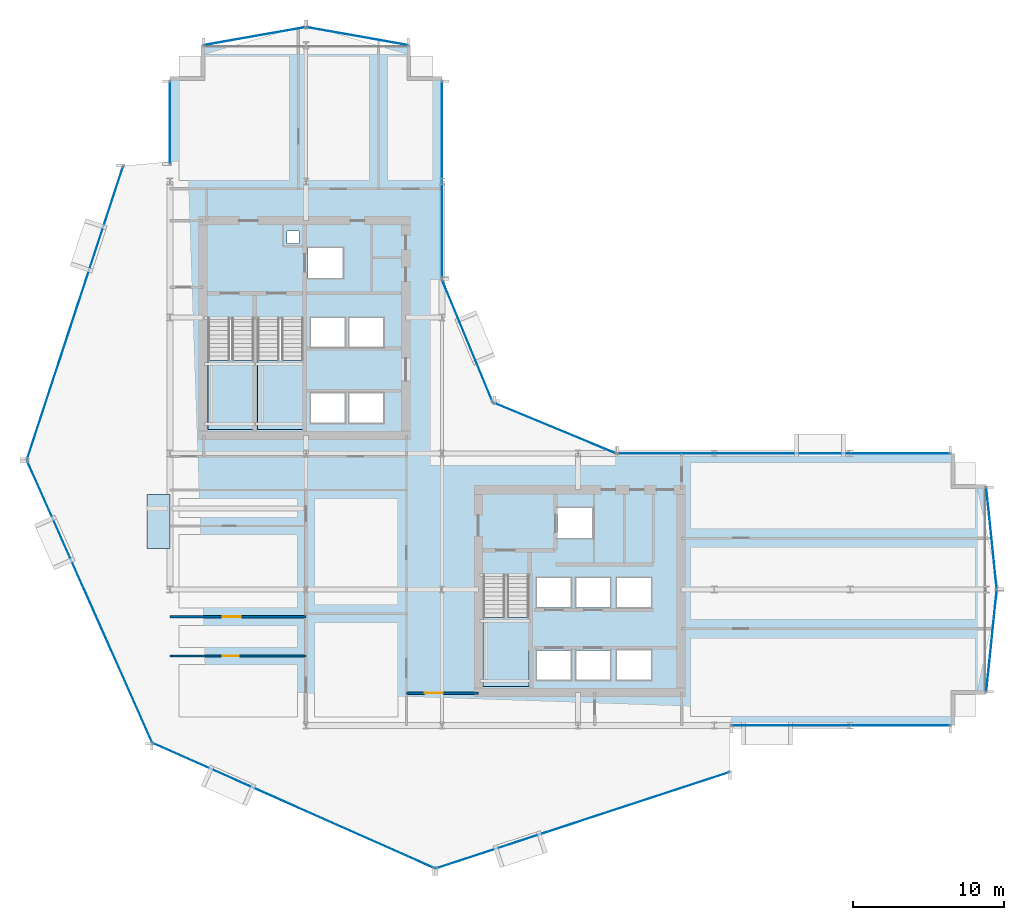
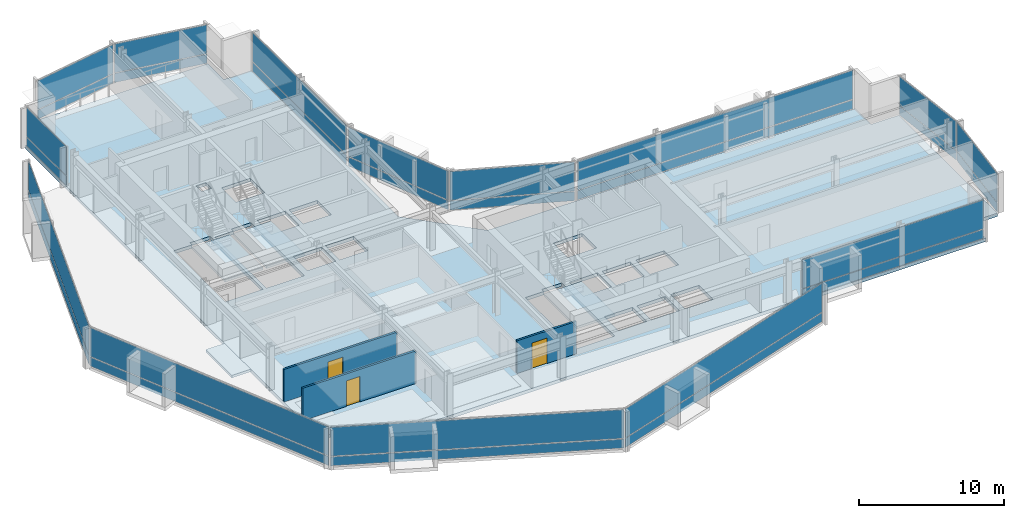
# One storey, part 26 of 34: 28 plates, 5 slabs, 3 doors, 3 walls, 3 openings, 17 elements without a shape of their own.
"""IFC4 building model written with IfcOpenShell, lengths in metres."""

from ifc_helpers import new_model, si_unit, direction, frame, frame_2d, origin, origin_2d, place, context, subcontext, project, spatial, polyline, rectangle, outline, extrude, material, layer, layer_set, type_object, element, fill, aggregate, save


model = new_model("IFC4")

# Units and contexts
model_context = context("Model", 3, precision=1e-05, world=origin(), true_north=direction((0.0, 1.0)))
body_context = subcontext(model_context, "Body", "Model", "MODEL_VIEW")
ifc_project = project(units=[si_unit("LENGTHUNIT", "METRE"), si_unit("AREAUNIT", "SQUARE_METRE"), si_unit("VOLUMEUNIT", "CUBIC_METRE"), si_unit("PLANEANGLEUNIT", "RADIAN"), si_unit("MASSUNIT", "GRAM", prefix="KILO")], contexts=[model_context])

# Site, building, storey
site_placement = place(None, origin())
site = spatial("IfcSite", under=ifc_project, at=site_placement, CompositionType="ELEMENT")
building_placement = place(site_placement, origin())
building = spatial("IfcBuilding", under=site, at=building_placement, Name="Solvaryn Broadcast Tower", CompositionType="ELEMENT")
storey_placement = place(building_placement, frame((0.0, 0.0, 96.5)))
storey = spatial("IfcBuildingStorey", under=building, at=storey_placement, Name="L23", CompositionType="ELEMENT", Elevation=96.5)

# Curtain wall, plates
ifc_material_1 = material(Name="Aluminium and Terracotta Unitised Curtain Wall", Category="masonry")
ifc_layer_1 = layer(ifc_material_1, 0.199951171875)
ifc_layer_set_1 = layer_set([ifc_layer_1], Name="CW-SYS2-LOWMID")
curtain_wall_type = type_object("IfcCurtainWallType", Name="CW-SYS2-LOWMID", PredefinedType="NOTDEFINED", material=ifc_layer_set_1)
curtain_wall_1_placement = place(storey_placement, origin())
curtain_wall_1 = element("IfcCurtainWall", 1, at=curtain_wall_1_placement, inside=storey, type_object=curtain_wall_type, Name="L23 Curtain Wall DR1", PredefinedType="NOTDEFINED")
ifc_material_2 = material(Name="Low-Iron Insulated Vision Glass", Category="glass")
ifc_layer_2 = layer(ifc_material_2, 0.035888671875)
ifc_layer_set_2 = layer_set([ifc_layer_2], Name="CW-PNL-VISION")
plate_type = type_object("IfcPlateType", Name="CW-PNL-VISION", PredefinedType="CURTAIN_PANEL", material=ifc_layer_set_2)
plate_1_placement = place(storey_placement, frame((2.72607421875, 36.2880859375, 0.06005859375), z_axis=(0.0, 0.0, 1.0), x_axis=(-0.311594044587, -0.950215318429, 0.0)))
plate_1 = element("IfcPlate", 2, at=plate_1_placement, type_object=plate_type, Name="CWS2 panel 1.1", PredefinedType="CURTAIN_PANEL", context=body_context, shape_type="SweptSolid", body=[
    extrude(rectangle(XDim=20.35546875, YDim=0.028076171875, at=origin_2d()), origin(), (0.0, 0.0, 1.0), 0.760009765625),
])
plate_2_placement = place(storey_placement, frame((2.72607421875, 36.2880859375, 0.8798828125), z_axis=(0.0, 0.0, 1.0), x_axis=(-0.311594044587, -0.950215318429, 0.0)))
plate_2 = element("IfcPlate", 3, at=plate_2_placement, type_object=plate_type, Name="CWS2 panel 1.2", PredefinedType="CURTAIN_PANEL", context=body_context, shape_type="SweptSolid", body=[
    extrude(rectangle(XDim=20.35546875, YDim=0.028076171875, at=origin_2d()), origin(), (0.0, 0.0, 1.0), 2.429931640625),
])
aggregate(curtain_wall_1, [plate_1, plate_2])

curtain_wall_2_placement = place(storey_placement, origin())
curtain_wall_2 = element("IfcCurtainWall", 4, at=curtain_wall_2_placement, inside=storey, type_object=curtain_wall_type, Name="L23 Curtain Wall DR2", PredefinedType="NOTDEFINED")
plate_3_placement = place(storey_placement, frame((3.69140625, 17.20361328125, 0.06005859375), z_axis=(0.0, 0.0, 1.0), x_axis=(0.405898286554, -0.913918257271, 0.0)))
plate_3 = element("IfcPlate", 5, at=plate_3_placement, type_object=plate_type, Name="CWS2 panel 1.1", PredefinedType="CURTAIN_PANEL", context=body_context, shape_type="SweptSolid", body=[
    extrude(rectangle(XDim=20.35546875, YDim=0.028076171875, at=origin_2d()), origin(), (0.0, 0.0, 1.0), 0.760009765625),
])
plate_4_placement = place(storey_placement, frame((3.69140625, 17.20361328125, 0.8798828125), z_axis=(0.0, 0.0, 1.0), x_axis=(0.405898286554, -0.913918257271, 0.0)))
plate_4 = element("IfcPlate", 6, at=plate_4_placement, type_object=plate_type, Name="CWS2 panel 1.2", PredefinedType="CURTAIN_PANEL", context=body_context, shape_type="SweptSolid", body=[
    extrude(rectangle(XDim=20.35546875, YDim=0.028076171875, at=origin_2d()), origin(), (0.0, 0.0, 1.0), 2.429931640625),
])
aggregate(curtain_wall_2, [plate_3, plate_4])

curtain_wall_3_placement = place(storey_placement, origin())
curtain_wall_3 = element("IfcCurtainWall", 7, at=curtain_wall_3_placement, inside=storey, type_object=curtain_wall_type, Name="L23 Curtain Wall DR3", PredefinedType="NOTDEFINED")
plate_5_placement = place(storey_placement, frame((17.20361328125, 3.69140625, 0.06005859375), z_axis=(0.0, 0.0, 1.0), x_axis=(0.913918257271, -0.405898286554, 0.0)))
plate_5 = element("IfcPlate", 8, at=plate_5_placement, type_object=plate_type, Name="CWS2 panel 1.1", PredefinedType="CURTAIN_PANEL", context=body_context, shape_type="SweptSolid", body=[
    extrude(rectangle(XDim=20.35546875, YDim=0.028076171875, at=origin_2d()), origin(), (0.0, 0.0, 1.0), 0.760009765625),
])
plate_6_placement = place(storey_placement, frame((17.20361328125, 3.69140625, 0.8798828125), z_axis=(0.0, 0.0, 1.0), x_axis=(0.913918257271, -0.405898286554, 0.0)))
plate_6 = element("IfcPlate", 9, at=plate_6_placement, type_object=plate_type, Name="CWS2 panel 1.2", PredefinedType="CURTAIN_PANEL", context=body_context, shape_type="SweptSolid", body=[
    extrude(rectangle(XDim=20.35546875, YDim=0.028076171875, at=origin_2d()), origin(), (0.0, 0.0, 1.0), 2.429931640625),
])
aggregate(curtain_wall_3, [plate_5, plate_6])

curtain_wall_4_placement = place(storey_placement, origin())
curtain_wall_4 = element("IfcCurtainWall", 10, at=curtain_wall_4_placement, inside=storey, type_object=curtain_wall_type, Name="L23 Curtain Wall DR4", PredefinedType="NOTDEFINED")
plate_7_placement = place(storey_placement, frame((36.2880859375, 2.72607421875, 0.06005859375), z_axis=(0.0, 0.0, 1.0), x_axis=(0.950215318429, 0.311594044587, 0.0)))
plate_7 = element("IfcPlate", 11, at=plate_7_placement, type_object=plate_type, Name="CWS2 panel 1.1", PredefinedType="CURTAIN_PANEL", context=body_context, shape_type="SweptSolid", body=[
    extrude(rectangle(XDim=20.35546875, YDim=0.028076171875, at=origin_2d()), origin(), (0.0, 0.0, 1.0), 0.760009765625),
])
plate_8_placement = place(storey_placement, frame((36.2880859375, 2.72607421875, 0.8798828125), z_axis=(0.0, 0.0, 1.0), x_axis=(0.950215318429, 0.311594044587, 0.0)))
plate_8 = element("IfcPlate", 12, at=plate_8_placement, type_object=plate_type, Name="CWS2 panel 1.2", PredefinedType="CURTAIN_PANEL", context=body_context, shape_type="SweptSolid", body=[
    extrude(rectangle(XDim=20.35546875, YDim=0.028076171875, at=origin_2d()), origin(), (0.0, 0.0, 1.0), 2.429931640625),
])
aggregate(curtain_wall_4, [plate_7, plate_8])

curtain_wall_5_placement = place(storey_placement, origin())
curtain_wall_5 = element("IfcCurtainWall", 13, at=curtain_wall_5_placement, inside=storey, type_object=curtain_wall_type, Name="L23 Curtain Wall W2", PredefinedType="NOTDEFINED")
plate_9_placement = place(storey_placement, frame((9.0, 48.883056640625, 0.06005859375), z_axis=(0.0, 0.0, 1.0), x_axis=(0.0, 1.0, 0.0)))
plate_9 = element("IfcPlate", 14, at=plate_9_placement, type_object=plate_type, Name="CWS2 panel 1.1", PredefinedType="CURTAIN_PANEL", context=body_context, shape_type="SweptSolid", body=[
    extrude(rectangle(XDim=5.4140625, YDim=0.028076171875, at=origin_2d()), origin(), (0.0, 0.0, 1.0), 0.760009765625),
])
plate_10_placement = place(storey_placement, frame((9.0, 48.883056640625, 0.8798828125), z_axis=(0.0, 0.0, 1.0), x_axis=(0.0, 1.0, 0.0)))
plate_10 = element("IfcPlate", 15, at=plate_10_placement, type_object=plate_type, Name="CWS2 panel 1.2", PredefinedType="CURTAIN_PANEL", context=body_context, shape_type="SweptSolid", body=[
    extrude(rectangle(XDim=5.4140625, YDim=0.028076171875, at=origin_2d()), origin(), (0.0, 0.0, 1.0), 2.429931640625),
])
aggregate(curtain_wall_5, [plate_9, plate_10])

curtain_wall_6_placement = place(storey_placement, origin())
curtain_wall_6 = element("IfcCurtainWall", 16, at=curtain_wall_6_placement, inside=storey, type_object=curtain_wall_type, Name="L23 Curtain Wall IV", PredefinedType="NOTDEFINED")
plate_11_placement = place(storey_placement, frame((27.0, 45.125, 0.06005859375), z_axis=(0.0, 0.0, 1.0), x_axis=(0.0, -1.0, 0.0)))
plate_11 = element("IfcPlate", 17, at=plate_11_placement, type_object=plate_type, Name="CWS2 panel 1.1", PredefinedType="CURTAIN_PANEL", context=body_context, shape_type="SweptSolid", body=[
    extrude(rectangle(XDim=12.929931640625, YDim=0.028076171875, at=origin_2d()), origin(), (0.0, 0.0, 1.0), 0.760009765625),
])
plate_12_placement = place(storey_placement, frame((27.0, 45.125, 0.8798828125), z_axis=(0.0, 0.0, 1.0), x_axis=(0.0, -1.0, 0.0)))
plate_12 = element("IfcPlate", 18, at=plate_12_placement, type_object=plate_type, Name="CWS2 panel 1.2", PredefinedType="CURTAIN_PANEL", context=body_context, shape_type="SweptSolid", body=[
    extrude(rectangle(XDim=12.929931640625, YDim=0.028076171875, at=origin_2d()), origin(), (0.0, 0.0, 1.0), 2.429931640625),
])
aggregate(curtain_wall_6, [plate_11, plate_12])

curtain_wall_7_placement = place(storey_placement, origin())
curtain_wall_7 = element("IfcCurtainWall", 19, at=curtain_wall_7_placement, inside=storey, type_object=curtain_wall_type, Name="L23 Curtain Wall CN1", PredefinedType="NOTDEFINED")
plate_13_placement = place(storey_placement, frame((34.43408203125, 28.68408203125, 0.06005859375), z_axis=(0.0, 0.0, 1.0), x_axis=(-0.923894983957, 0.382646127145, 0.0)))
plate_13 = element("IfcPlate", 20, at=plate_13_placement, type_object=plate_type, Name="CWS2 panel 1.1", PredefinedType="CURTAIN_PANEL", context=body_context, shape_type="SweptSolid", body=[
    extrude(rectangle(XDim=8.681884765625, YDim=0.028076171875, at=origin_2d()), origin(), (0.0, 0.0, 1.0), 0.760009765625),
])
plate_14_placement = place(storey_placement, frame((34.43408203125, 28.68408203125, 0.8798828125), z_axis=(0.0, 0.0, 1.0), x_axis=(-0.923894983957, 0.382646127145, 0.0)))
plate_14 = element("IfcPlate", 21, at=plate_14_placement, type_object=plate_type, Name="CWS2 panel 1.2", PredefinedType="CURTAIN_PANEL", context=body_context, shape_type="SweptSolid", body=[
    extrude(rectangle(XDim=8.681884765625, YDim=0.028076171875, at=origin_2d()), origin(), (0.0, 0.0, 1.0), 2.429931640625),
])
aggregate(curtain_wall_7, [plate_13, plate_14])

curtain_wall_8_placement = place(storey_placement, origin())
curtain_wall_8 = element("IfcCurtainWall", 22, at=curtain_wall_8_placement, inside=storey, type_object=curtain_wall_type, Name="L23 Curtain Wall CN2", PredefinedType="NOTDEFINED")
plate_15_placement = place(storey_placement, frame((28.68408203125, 34.43408203125, 0.06005859375), z_axis=(0.0, 0.0, 1.0), x_axis=(-0.382646127145, 0.923894983957, 0.0)))
plate_15 = element("IfcPlate", 23, at=plate_15_placement, type_object=plate_type, Name="CWS2 panel 1.1", PredefinedType="CURTAIN_PANEL", context=body_context, shape_type="SweptSolid", body=[
    extrude(rectangle(XDim=8.681884765625, YDim=0.028076171875, at=origin_2d()), origin(), (0.0, 0.0, 1.0), 0.760009765625),
])
plate_16_placement = place(storey_placement, frame((28.68408203125, 34.43408203125, 0.8798828125), z_axis=(0.0, 0.0, 1.0), x_axis=(-0.382646127145, 0.923894983957, 0.0)))
plate_16 = element("IfcPlate", 24, at=plate_16_placement, type_object=plate_type, Name="CWS2 panel 1.2", PredefinedType="CURTAIN_PANEL", context=body_context, shape_type="SweptSolid", body=[
    extrude(rectangle(XDim=8.681884765625, YDim=0.028076171875, at=origin_2d()), origin(), (0.0, 0.0, 1.0), 2.429931640625),
])
aggregate(curtain_wall_8, [plate_15, plate_16])

curtain_wall_9_placement = place(storey_placement, origin())
curtain_wall_9 = element("IfcCurtainWall", 25, at=curtain_wall_9_placement, inside=storey, type_object=curtain_wall_type, Name="L23 Curtain Wall S2", PredefinedType="NOTDEFINED")
plate_17_placement = place(storey_placement, frame((53.383056640625, 9.0, 0.06005859375), z_axis=(0.0, 0.0, 1.0), x_axis=(1.0, 0.0, 0.0)))
plate_17 = element("IfcPlate", 26, at=plate_17_placement, type_object=plate_type, Name="CWS2 panel 1.1", PredefinedType="CURTAIN_PANEL", context=body_context, shape_type="SweptSolid", body=[
    extrude(rectangle(XDim=14.4140625, YDim=0.028076171875, at=origin_2d()), origin(), (0.0, 0.0, 1.0), 0.760009765625),
])
plate_18_placement = place(storey_placement, frame((53.383056640625, 9.0, 0.8798828125), z_axis=(0.0, 0.0, 1.0), x_axis=(1.0, 0.0, 0.0)))
plate_18 = element("IfcPlate", 27, at=plate_18_placement, type_object=plate_type, Name="CWS2 panel 1.2", PredefinedType="CURTAIN_PANEL", context=body_context, shape_type="SweptSolid", body=[
    extrude(rectangle(XDim=14.4140625, YDim=0.028076171875, at=origin_2d()), origin(), (0.0, 0.0, 1.0), 2.429931640625),
])
aggregate(curtain_wall_9, [plate_17, plate_18])

curtain_wall_10_placement = place(storey_placement, origin())
curtain_wall_10 = element("IfcCurtainWall", 28, at=curtain_wall_10_placement, inside=storey, type_object=curtain_wall_type, Name="L23 Curtain Wall NT1", PredefinedType="NOTDEFINED")
plate_19_placement = place(storey_placement, frame((21.39990234375, 54.60009765625, 0.06005859375), z_axis=(0.0, 0.0, 1.0), x_axis=(-0.984783558819, 0.173785333901, 0.0)))
plate_19 = element("IfcPlate", 29, at=plate_19_placement, type_object=plate_type, Name="CWS2 panel 1.1", PredefinedType="CURTAIN_PANEL", context=body_context, shape_type="SweptSolid", body=[
    extrude(rectangle(XDim=6.78515625, YDim=0.028076171875, at=origin_2d()), origin(), (0.0, 0.0, 1.0), 0.760009765625),
])
plate_20_placement = place(storey_placement, frame((21.39990234375, 54.60009765625, 0.8798828125), z_axis=(0.0, 0.0, 1.0), x_axis=(-0.984783558819, 0.173785333901, 0.0)))
plate_20 = element("IfcPlate", 30, at=plate_20_placement, type_object=plate_type, Name="CWS2 panel 1.2", PredefinedType="CURTAIN_PANEL", context=body_context, shape_type="SweptSolid", body=[
    extrude(rectangle(XDim=6.78515625, YDim=0.028076171875, at=origin_2d()), origin(), (0.0, 0.0, 1.0), 2.429931640625),
])
aggregate(curtain_wall_10, [plate_19, plate_20])

curtain_wall_11_placement = place(storey_placement, origin())
curtain_wall_11 = element("IfcCurtainWall", 31, at=curtain_wall_11_placement, inside=storey, type_object=curtain_wall_type, Name="L23 Curtain Wall NT2", PredefinedType="NOTDEFINED")
plate_21_placement = place(storey_placement, frame((14.60009765625, 54.60009765625, 0.06005859375), z_axis=(0.0, 0.0, 1.0), x_axis=(-0.984783558819, -0.173785333901, 0.0)))
plate_21 = element("IfcPlate", 32, at=plate_21_placement, type_object=plate_type, Name="CWS2 panel 1.1", PredefinedType="CURTAIN_PANEL", context=body_context, shape_type="SweptSolid", body=[
    extrude(rectangle(XDim=6.78515625, YDim=0.028076171875, at=origin_2d()), origin(), (0.0, 0.0, 1.0), 0.760009765625),
])
plate_22_placement = place(storey_placement, frame((14.60009765625, 54.60009765625, 0.8798828125), z_axis=(0.0, 0.0, 1.0), x_axis=(-0.984783558819, -0.173785333901, 0.0)))
plate_22 = element("IfcPlate", 33, at=plate_22_placement, type_object=plate_type, Name="CWS2 panel 1.2", PredefinedType="CURTAIN_PANEL", context=body_context, shape_type="SweptSolid", body=[
    extrude(rectangle(XDim=6.78515625, YDim=0.028076171875, at=origin_2d()), origin(), (0.0, 0.0, 1.0), 2.429931640625),
])
aggregate(curtain_wall_11, [plate_21, plate_22])

curtain_wall_12_placement = place(storey_placement, origin())
curtain_wall_12 = element("IfcCurtainWall", 34, at=curtain_wall_12_placement, inside=storey, type_object=curtain_wall_type, Name="L23 Curtain Wall ET1", PredefinedType="NOTDEFINED")
plate_23_placement = place(storey_placement, frame((63.35009765625, 21.39990234375, 0.06005859375), z_axis=(0.0, 0.0, 1.0), x_axis=(0.10240004548, -0.99474329889, 0.0)))
plate_23 = element("IfcPlate", 35, at=plate_23_placement, type_object=plate_type, Name="CWS2 panel 1.1", PredefinedType="CURTAIN_PANEL", context=body_context, shape_type="SweptSolid", body=[
    extrude(rectangle(XDim=6.7158203125, YDim=0.028076171875, at=origin_2d()), origin(), (0.0, 0.0, 1.0), 0.760009765625),
])
plate_24_placement = place(storey_placement, frame((63.35009765625, 21.39990234375, 0.8798828125), z_axis=(0.0, 0.0, 1.0), x_axis=(0.10240004548, -0.99474329889, 0.0)))
plate_24 = element("IfcPlate", 36, at=plate_24_placement, type_object=plate_type, Name="CWS2 panel 1.2", PredefinedType="CURTAIN_PANEL", context=body_context, shape_type="SweptSolid", body=[
    extrude(rectangle(XDim=6.7158203125, YDim=0.028076171875, at=origin_2d()), origin(), (0.0, 0.0, 1.0), 2.429931640625),
])
aggregate(curtain_wall_12, [plate_23, plate_24])

curtain_wall_13_placement = place(storey_placement, origin())
curtain_wall_13 = element("IfcCurtainWall", 37, at=curtain_wall_13_placement, inside=storey, type_object=curtain_wall_type, Name="L23 Curtain Wall ET2", PredefinedType="NOTDEFINED")
plate_25_placement = place(storey_placement, frame((63.35009765625, 14.60009765625, 0.06005859375), z_axis=(0.0, 0.0, 1.0), x_axis=(-0.10240004548, -0.99474329889, 0.0)))
plate_25 = element("IfcPlate", 38, at=plate_25_placement, type_object=plate_type, Name="CWS2 panel 1.1", PredefinedType="CURTAIN_PANEL", context=body_context, shape_type="SweptSolid", body=[
    extrude(rectangle(XDim=6.7158203125, YDim=0.028076171875, at=origin_2d()), origin(), (0.0, 0.0, 1.0), 0.760009765625),
])
plate_26_placement = place(storey_placement, frame((63.35009765625, 14.60009765625, 0.8798828125), z_axis=(0.0, 0.0, 1.0), x_axis=(-0.10240004548, -0.99474329889, 0.0)))
plate_26 = element("IfcPlate", 39, at=plate_26_placement, type_object=plate_type, Name="CWS2 panel 1.2", PredefinedType="CURTAIN_PANEL", context=body_context, shape_type="SweptSolid", body=[
    extrude(rectangle(XDim=6.7158203125, YDim=0.028076171875, at=origin_2d()), origin(), (0.0, 0.0, 1.0), 2.429931640625),
])
aggregate(curtain_wall_13, [plate_25, plate_26])

curtain_wall_14_placement = place(storey_placement, origin())
curtain_wall_14 = element("IfcCurtainWall", 40, at=curtain_wall_14_placement, inside=storey, type_object=curtain_wall_type, Name="L23 Curtain Wall IH", PredefinedType="NOTDEFINED")
plate_27_placement = place(storey_placement, frame((49.625, 27.0, 0.06005859375), z_axis=(0.0, 0.0, 1.0), x_axis=(1.0, 0.0, 0.0)))
plate_27 = element("IfcPlate", 41, at=plate_27_placement, type_object=plate_type, Name="CWS2 panel 1.1", PredefinedType="CURTAIN_PANEL", context=body_context, shape_type="SweptSolid", body=[
    extrude(rectangle(XDim=21.929931640625, YDim=0.028076171875, at=origin_2d()), origin(), (0.0, 0.0, 1.0), 0.760009765625),
])
plate_28_placement = place(storey_placement, frame((49.625, 27.0, 0.8798828125), z_axis=(0.0, 0.0, 1.0), x_axis=(1.0, 0.0, 0.0)))
plate_28 = element("IfcPlate", 42, at=plate_28_placement, type_object=plate_type, Name="CWS2 panel 1.2", PredefinedType="CURTAIN_PANEL", context=body_context, shape_type="SweptSolid", body=[
    extrude(rectangle(XDim=21.929931640625, YDim=0.028076171875, at=origin_2d()), origin(), (0.0, 0.0, 1.0), 2.429931640625),
])
aggregate(curtain_wall_14, [plate_27, plate_28])

# Slab
ifc_material_3 = material(Name="Concrete f'c 60 MPa", Category="concrete")
ifc_layer_3 = layer(ifc_material_3, 0.2099609375)
ifc_layer_set_3 = layer_set([ifc_layer_3], Name="SL-BAYBOX-210")
slab_type_1 = type_object("IfcSlabType", Name="SL-BAYBOX-210", PredefinedType="FLOOR", material=ifc_layer_set_3)
slab_1_placement = place(storey_placement, frame((0.0, 0.0, -0.2099609375)))
element("IfcSlab", 43, at=slab_1_placement, inside=storey, type_object=slab_type_1, Name="L23 Projecting Bay-Box Slab 1", PredefinedType="FLOOR", context=body_context, shape_type="SweptSolid", body=[
    extrude(outline(polyline([(7.5, 20.699951171875), (9.0, 20.699951171875), (9.0, 24.300048828125), (7.5, 24.300048828125), (7.5, 20.699951171875)])), origin(), (0.0, 0.0, 1.0), 0.2099609375),
])

# Stair, slab
ifc_material_4 = material(Name="Concrete f'c 60 MPa", Category="concrete")
stair_type = type_object("IfcStairType", Name="ST-CORE", PredefinedType="HALF_TURN_STAIR", material=ifc_material_4)
stair_1_placement = place(storey_placement, origin())
stair_1 = element("IfcStair", 44, at=stair_1_placement, inside=storey, type_object=stair_type, Name="L23 ST1", PredefinedType="HALF_TURN_STAIR")
ifc_material_5 = material(Name="Concrete f'c 60 MPa", Category="concrete")
ifc_layer_4 = layer(ifc_material_5, 0.199951171875)
ifc_layer_set_4 = layer_set([ifc_layer_4], Name="SL-LANDING-200")
slab_type_2 = type_object("IfcSlabType", Name="SL-LANDING-200", PredefinedType="LANDING", material=ifc_layer_set_4)
slab_2_placement = place(storey_placement, frame((0.0, 0.0, 1.64990234375)))
slab_2 = element("IfcSlab", 45, at=slab_2_placement, type_object=slab_type_2, Name="ST1 landing 1", PredefinedType="LANDING", context=body_context, shape_type="SweptSolid", body=[
    extrude(outline(polyline([(11.52001953125, 33.159912109375), (11.52001953125, 28.60009765625), (14.550048828125, 28.60009765625), (14.550048828125, 33.159912109375), (11.52001953125, 33.159912109375)])), origin(), (0.0, 0.0, 1.0), 0.2001953125),
])
aggregate(stair_1, [slab_2])

stair_2_placement = place(storey_placement, origin())
stair_2 = element("IfcStair", 46, at=stair_2_placement, inside=storey, type_object=stair_type, Name="L23 ST2", PredefinedType="HALF_TURN_STAIR")
slab_3_placement = place(storey_placement, frame((0.0, 0.0, 1.64990234375)))
slab_3 = element("IfcSlab", 47, at=slab_3_placement, type_object=slab_type_2, Name="ST2 landing 1", PredefinedType="LANDING", context=body_context, shape_type="SweptSolid", body=[
    extrude(outline(polyline([(14.800048828125, 33.159912109375), (14.800048828125, 28.60009765625), (17.830078125, 28.60009765625), (17.830078125, 33.159912109375), (14.800048828125, 33.159912109375)])), origin(), (0.0, 0.0, 1.0), 0.2001953125),
])
aggregate(stair_2, [slab_3])

stair_3_placement = place(storey_placement, origin())
stair_3 = element("IfcStair", 48, at=stair_3_placement, inside=storey, type_object=stair_type, Name="L23 ST3", PredefinedType="HALF_TURN_STAIR")
slab_4_placement = place(storey_placement, frame((0.0, 0.0, 1.64990234375)))
slab_4 = element("IfcSlab", 49, at=slab_4_placement, type_object=slab_type_2, Name="ST3 landing 1", PredefinedType="LANDING", context=body_context, shape_type="SweptSolid", body=[
    extrude(outline(polyline([(29.719970703125, 16.159912109375), (29.719970703125, 11.60009765625), (32.75, 11.60009765625), (32.75, 16.159912109375), (29.719970703125, 16.159912109375)])), origin(), (0.0, 0.0, 1.0), 0.2001953125),
])
aggregate(stair_3, [slab_4])

# Slab
ifc_material_6 = material(Name="Concrete f'c 60 MPa", Category="concrete")
ifc_layer_5 = layer(ifc_material_6, 0.280029296875)
ifc_layer_set_5 = layer_set([ifc_layer_5], Name="SL-TWR-280")
slab_type_3 = type_object("IfcSlabType", Name="SL-TWR-280", PredefinedType="FLOOR", material=ifc_layer_set_5)
slab_5_placement = place(storey_placement, frame((0.0, 0.0, -0.280029296875)))
element("IfcSlab", 50, at=slab_5_placement, inside=storey, type_object=slab_type_3, Name="L23 Structural Floor Slab", PredefinedType="FLOOR", context=body_context, shape_type="SweptSolid", body=[
    extrude(outline(polyline([(11.199951171875, 9.0), (60.800048828125, 9.0), (60.800048828125, 11.199951171875), (63.0, 11.199951171875), (63.0, 24.800048828125), (60.800048828125, 24.800048828125), (60.800048828125, 27.0), (31.5, 27.0), (27.0, 31.5), (27.0, 51.800048828125), (24.800048828125, 51.800048828125), (24.800048828125, 54.0), (11.199951171875, 54.0), (11.199951171875, 51.800048828125), (9.0, 51.800048828125), (9.0, 11.199951171875), (11.199951171875, 11.199951171875), (11.199951171875, 9.0)]), holes=[polyline([(11.52001953125, 28.60009765625), (14.550048828125, 28.60009765625), (14.550048828125, 35.9599609375), (12.97998046875, 35.9599609375), (12.97998046875, 35.679931640625), (11.52001953125, 35.679931640625), (11.52001953125, 28.60009765625)]), polyline([(14.800048828125, 28.60009765625), (17.830078125, 28.60009765625), (17.830078125, 35.9599609375), (16.260009765625, 35.9599609375), (16.260009765625, 35.679931640625), (14.800048828125, 35.679931640625), (14.800048828125, 28.60009765625)]), polyline([(29.719970703125, 11.60009765625), (32.75, 11.60009765625), (32.75, 18.9599609375), (31.179931640625, 18.9599609375), (31.179931640625, 18.679931640625), (29.719970703125, 18.679931640625), (29.719970703125, 11.60009765625)]), polyline([(18.14990234375, 38.60009765625), (20.449951171875, 38.60009765625), (20.449951171875, 40.60009765625), (18.14990234375, 40.60009765625), (18.14990234375, 38.60009765625)]), polyline([(18.324951171875, 29.02490234375), (20.574951171875, 29.02490234375), (20.574951171875, 30.97509765625), (18.324951171875, 30.97509765625), (18.324951171875, 29.02490234375)]), polyline([(20.875, 29.02490234375), (23.125, 29.02490234375), (23.125, 30.97509765625), (20.875, 30.97509765625), (20.875, 29.02490234375)]), polyline([(18.324951171875, 34.02490234375), (20.574951171875, 34.02490234375), (20.574951171875, 35.97509765625), (18.324951171875, 35.97509765625), (18.324951171875, 34.02490234375)]), polyline([(20.875, 34.02490234375), (23.125, 34.02490234375), (23.125, 35.97509765625), (20.875, 35.97509765625), (20.875, 34.02490234375)]), polyline([(34.64990234375, 21.39990234375), (36.949951171875, 21.39990234375), (36.949951171875, 23.39990234375), (34.64990234375, 23.39990234375), (34.64990234375, 21.39990234375)]), polyline([(33.27490234375, 12.02490234375), (35.52490234375, 12.02490234375), (35.52490234375, 13.97509765625), (33.27490234375, 13.97509765625), (33.27490234375, 12.02490234375)]), polyline([(35.875, 12.02490234375), (38.125, 12.02490234375), (38.125, 13.97509765625), (35.875, 13.97509765625), (35.875, 12.02490234375)]), polyline([(33.27490234375, 16.824951171875), (35.52490234375, 16.824951171875), (35.52490234375, 18.77490234375), (33.27490234375, 18.77490234375), (33.27490234375, 16.824951171875)]), polyline([(35.875, 16.824951171875), (38.125, 16.824951171875), (38.125, 18.77490234375), (35.875, 18.77490234375), (35.875, 16.824951171875)]), polyline([(38.574951171875, 12.02490234375), (40.824951171875, 12.02490234375), (40.824951171875, 13.97509765625), (38.574951171875, 13.97509765625), (38.574951171875, 12.02490234375)]), polyline([(38.574951171875, 16.824951171875), (40.824951171875, 16.824951171875), (40.824951171875, 18.77490234375), (38.574951171875, 18.77490234375), (38.574951171875, 16.824951171875)]), polyline([(16.75, 40.89990234375), (17.550048828125, 40.89990234375), (17.550048828125, 41.699951171875), (16.75, 41.699951171875), (16.75, 40.89990234375)])]), origin(), (0.0, 0.0, 1.0), 0.280029296875),
])

# Wall, opening, door
ifc_material_7 = material(Name="Metal-Stud Gypsum Office Partition")
ifc_layer_6 = layer(ifc_material_7, 0.159912109375)
ifc_layer_set_6 = layer_set([ifc_layer_6], Name="IW-PART-160")
wall_type = type_object("IfcWallType", Name="IW-PART-160", PredefinedType="PARTITIONING", material=ifc_layer_set_6)
wall_1_placement = place(storey_placement, frame((9.0, 13.60009765625, 0.0), z_axis=(0.0, 0.0, 1.0), x_axis=(1.0, 0.0, 0.0)))
wall_1 = element("IfcWall", 51, at=wall_1_placement, inside=storey, type_object=wall_type, Name="L23 Interior Partition IW-L23-SWW-H1", PredefinedType="PARTITIONING", context=body_context, shape_type="SweptSolid", body=[
    extrude(rectangle(XDim=9.0, YDim=0.159912109375, at=frame_2d((4.5, 0.0))), origin(), (0.0, 0.0, 1.0), 2.741943359375),
])
opening_1_placement = place(wall_1_placement, frame((3.5, 0.0, 0.0)))
opening_1 = element("IfcOpeningElement", 52, at=opening_1_placement, cuts=wall_1, Name="Opening ID03", PredefinedType="OPENING", context=body_context, shape_type="SweptSolid", body=[
    extrude(rectangle(XDim=1.050048828125, YDim=2.14990234375, at=frame_2d((0.52490234375, 1.074951171875))), frame((0.0, 0.090087890625, 0.0), z_axis=(0.0, -1.0, 0.0), x_axis=(1.0, 0.0, 0.0)), (0.0, 0.0, 1.0), 0.179931640625),
])
ifc_material_8 = material(Name="Flush Acoustic Steel and Timber Door Assembly", Category="steel")
door_type_1 = type_object("IfcDoorType", Name="ID-03-1050X2150", OperationType="NOTDEFINED", PredefinedType="DOOR", material=ifc_material_8)
door_1_placement = place(opening_1_placement, origin())
door_1 = element("IfcDoor", 53, at=door_1_placement, inside=storey, type_object=door_type_1, Name="L23 Door DR-L23-SWW-1", OperationType="SINGLE_SWING_LEFT", OverallHeight=2.14990234375, OverallWidth=1.050048828125, PredefinedType="DOOR", context=body_context, shape_type="SweptSolid", body=[
    extrude(rectangle(XDim=1.050048828125, YDim=2.14990234375, at=frame_2d((0.52490234375, 1.074951171875))), frame((0.0, 0.02490234375, 0.0), z_axis=(0.0, -1.0, 0.0), x_axis=(1.0, 0.0, 0.0)), (0.0, 0.0, 1.0), 0.050048828125),
])
fill(opening_1, door_1)

wall_2_placement = place(storey_placement, frame((9.0, 16.199951171875, 0.0), z_axis=(0.0, 0.0, 1.0), x_axis=(1.0, 0.0, 0.0)))
wall_2 = element("IfcWall", 54, at=wall_2_placement, inside=storey, type_object=wall_type, Name="L23 Interior Partition IW-L23-SWW-H2", PredefinedType="PARTITIONING", context=body_context, shape_type="SweptSolid", body=[
    extrude(rectangle(XDim=9.0, YDim=0.159912109375, at=frame_2d((4.5, 0.0))), origin(), (0.0, 0.0, 1.0), 2.741943359375),
])
opening_2_placement = place(wall_2_placement, frame((3.5, 0.0, 0.0)))
opening_2 = element("IfcOpeningElement", 55, at=opening_2_placement, cuts=wall_2, Name="Opening ID04", PredefinedType="OPENING", context=body_context, shape_type="SweptSolid", body=[
    extrude(rectangle(XDim=1.199951171875, YDim=2.14990234375, at=frame_2d((0.60009765625, 1.074951171875))), frame((0.0, 0.090087890625, 0.0), z_axis=(0.0, -1.0, 0.0), x_axis=(1.0, 0.0, 0.0)), (0.0, 0.0, 1.0), 0.179931640625),
])
ifc_material_9 = material(Name="Flush Acoustic Steel and Timber Door Assembly", Category="steel")
door_type_2 = type_object("IfcDoorType", Name="ID-04-1200X2150", OperationType="NOTDEFINED", PredefinedType="DOOR", material=ifc_material_9)
door_2_placement = place(opening_2_placement, origin())
door_2 = element("IfcDoor", 56, at=door_2_placement, inside=storey, type_object=door_type_2, Name="L23 Door DR-L23-SWW-2", OperationType="SINGLE_SWING_RIGHT", OverallHeight=2.14990234375, OverallWidth=1.199951171875, PredefinedType="DOOR", context=body_context, shape_type="SweptSolid", body=[
    extrude(rectangle(XDim=1.199951171875, YDim=2.14990234375, at=frame_2d((0.60009765625, 1.074951171875))), frame((0.0, 0.02490234375, 0.0), z_axis=(0.0, -1.0, 0.0), x_axis=(1.0, 0.0, 0.0)), (0.0, 0.0, 1.0), 0.050048828125),
])
fill(opening_2, door_2)

wall_3_placement = place(storey_placement, frame((24.64990234375, 11.14990234375, 0.0), z_axis=(0.0, 0.0, 1.0), x_axis=(1.0, 0.0, 0.0)))
wall_3 = element("IfcWall", 57, at=wall_3_placement, inside=storey, type_object=wall_type, Name="L23 Interior Partition IW-L23-SC-N", PredefinedType="PARTITIONING", context=body_context, shape_type="SweptSolid", body=[
    extrude(rectangle(XDim=4.75, YDim=0.159912109375, at=frame_2d((2.375, 0.0))), origin(), (0.0, 0.0, 1.0), 2.741943359375),
])
opening_3_placement = place(wall_3_placement, frame((1.199951171875, 0.0, 0.0)))
opening_3 = element("IfcOpeningElement", 58, at=opening_3_placement, cuts=wall_3, Name="Opening ID04", PredefinedType="OPENING", context=body_context, shape_type="SweptSolid", body=[
    extrude(rectangle(XDim=1.199951171875, YDim=2.14990234375, at=frame_2d((0.60009765625, 1.074951171875))), frame((0.0, 0.090087890625, 0.0), z_axis=(0.0, -1.0, 0.0), x_axis=(1.0, 0.0, 0.0)), (0.0, 0.0, 1.0), 0.179931640625),
])
door_3_placement = place(opening_3_placement, origin())
door_3 = element("IfcDoor", 59, at=door_3_placement, inside=storey, type_object=door_type_2, Name="L23 Door DR-L23-SC0", OperationType="SINGLE_SWING_LEFT", OverallHeight=2.14990234375, OverallWidth=1.199951171875, PredefinedType="DOOR", context=body_context, shape_type="SweptSolid", body=[
    extrude(rectangle(XDim=1.199951171875, YDim=2.14990234375, at=frame_2d((0.60009765625, 1.074951171875))), frame((0.0, 0.02490234375, 0.0), z_axis=(0.0, -1.0, 0.0), x_axis=(1.0, 0.0, 0.0)), (0.0, 0.0, 1.0), 0.050048828125),
])
fill(opening_3, door_3)

save(model, "model.ifc")
